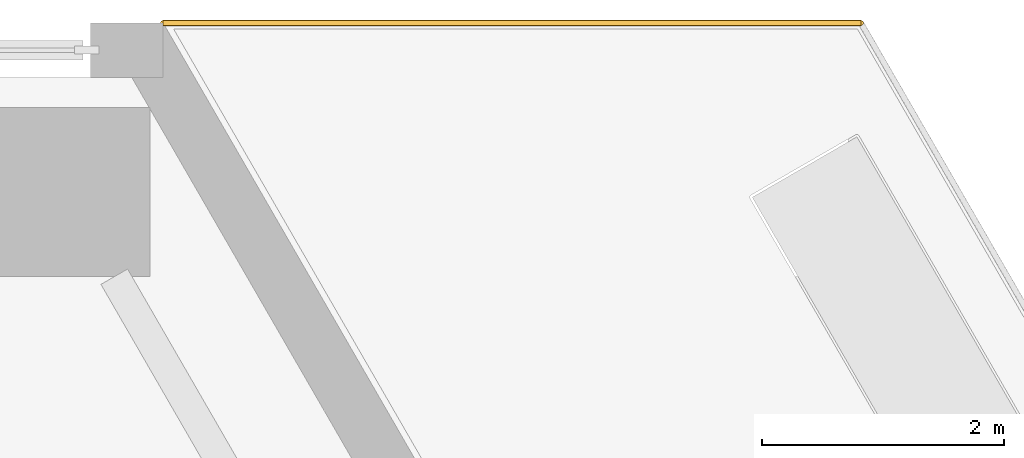
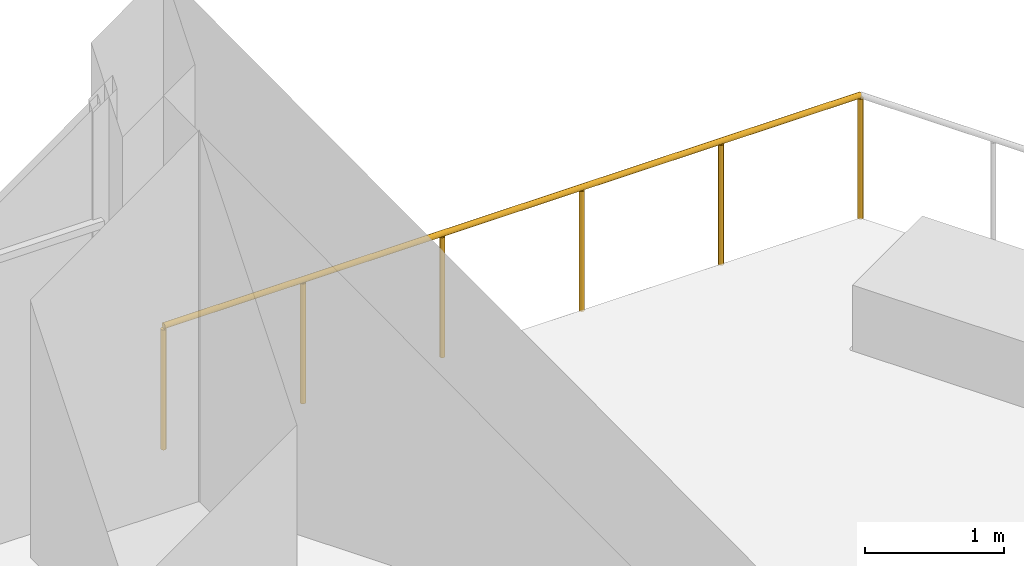
# One storey, part 40 of 40: 1 railing.
"""IFC4 building model written with IfcOpenShell, lengths in metres."""

from ifc_helpers import new_model, si_unit, direction, frame, origin, origin_2d, place, context, subcontext, project, spatial, circle, extrude, material, type_object, element, save


model = new_model("IFC4")

# Units and contexts
model_context = context("Model", 3, precision=1e-05, world=origin(), true_north=direction((0.0, 1.0)))
body_context = subcontext(model_context, "Body", "Model", "MODEL_VIEW")
ifc_project = project(units=[si_unit("LENGTHUNIT", "METRE"), si_unit("AREAUNIT", "SQUARE_METRE"), si_unit("VOLUMEUNIT", "CUBIC_METRE"), si_unit("PLANEANGLEUNIT", "RADIAN"), si_unit("MASSUNIT", "GRAM", prefix="KILO")], contexts=[model_context])

# Site, building, storey
site_placement = place(None, origin())
site = spatial("IfcSite", under=ifc_project, at=site_placement, CompositionType="ELEMENT")
building_placement = place(site_placement, origin())
building = spatial("IfcBuilding", under=site, at=building_placement, Name="Aloe Facet Convention Tower", CompositionType="ELEMENT")
storey_placement = place(building_placement, frame((0.0, 0.0, 13.5)))
storey = spatial("IfcBuildingStorey", under=building, at=storey_placement, Name="L02", CompositionType="ELEMENT", Elevation=13.5)

# Railing
ifc_material = material(Name="Steel S355, bronze oxide finish", Category="steel")
railing_type = type_object("IfcRailingType", Name="EV-GUARD-TERR", PredefinedType="GUARDRAIL", material=ifc_material)
railing_placement = place(storey_placement, frame((125.493896484375, 135.0, 0.0)))
element("IfcRailing", 1, at=railing_placement, inside=storey, type_object=railing_type, Name="GUARD PT-L02-1-2", PredefinedType="GUARDRAIL", context=body_context, shape_type="SweptSolid", body=[
    extrude(circle(Radius=0.02392578125, at=origin_2d()), frame((0.0, 0.0, 1.076171875), z_axis=(1.0, 0.0, 0.0), x_axis=(0.0, 1.0, 0.0)), (0.0, 0.0, 1.0), 5.773681640625),
    extrude(circle(Radius=0.02099609375, at=origin_2d()), origin(), (0.0, 0.0, 1.0), 1.052001953125),
    extrude(circle(Radius=0.02099609375, at=origin_2d()), frame((1.15478515625, 0.0, 0.0)), (0.0, 0.0, 1.0), 1.052001953125),
    extrude(circle(Radius=0.02099609375, at=origin_2d()), frame((2.3095703125, 0.0, 0.0)), (0.0, 0.0, 1.0), 1.052001953125),
    extrude(circle(Radius=0.02099609375, at=origin_2d()), frame((3.464111328125, 0.0, 0.0)), (0.0, 0.0, 1.0), 1.052001953125),
    extrude(circle(Radius=0.02099609375, at=origin_2d()), frame((4.618896484375, 0.0, 0.0)), (0.0, 0.0, 1.0), 1.052001953125),
    extrude(circle(Radius=0.02099609375, at=origin_2d()), frame((5.773681640625, 0.0, 0.0)), (0.0, 0.0, 1.0), 1.052001953125),
])

save(model, "model.ifc")
